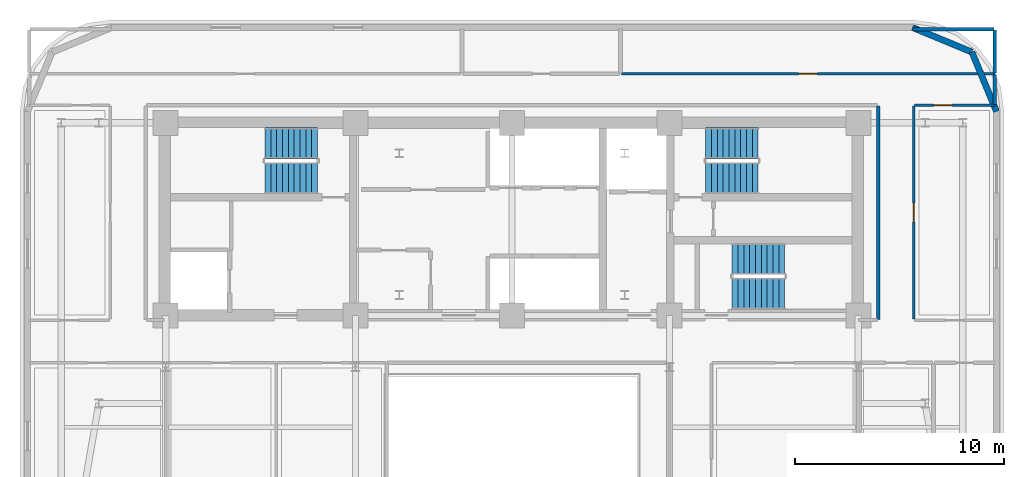
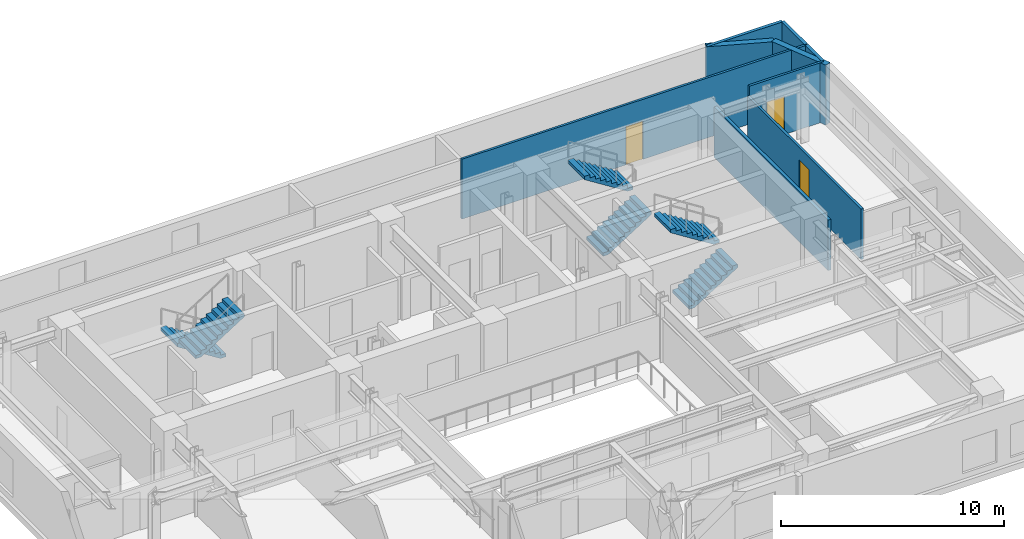
# One storey, part 9 of 12: 9 walls, 6 stair flights, 3 doors, 3 openings, 3 elements without a shape of their own.
"""IFC4 building model written with IfcOpenShell, lengths in metres."""

from ifc_helpers import new_model, si_unit, direction, frame, frame_2d, origin, place, context, subcontext, project, spatial, polyline, rectangle, outline, extrude, material, layer, layer_set, type_object, element, fill, aggregate, save


model = new_model("IFC4")

# Units and contexts
model_context = context("Model", 3, precision=1e-05, world=origin(), true_north=direction((0.0, 1.0)))
body_context = subcontext(model_context, "Body", "Model", "MODEL_VIEW")
ifc_project = project(units=[si_unit("LENGTHUNIT", "METRE"), si_unit("AREAUNIT", "SQUARE_METRE"), si_unit("VOLUMEUNIT", "CUBIC_METRE"), si_unit("PLANEANGLEUNIT", "RADIAN"), si_unit("MASSUNIT", "GRAM", prefix="KILO")], contexts=[model_context])

# Site, building, storey
site_placement = place(None, origin())
site = spatial("IfcSite", under=ifc_project, at=site_placement, CompositionType="ELEMENT")
building_placement = place(site_placement, origin())
building = spatial("IfcBuilding", under=site, at=building_placement, Name="Zarnavel Station Tower", CompositionType="ELEMENT")
storey_placement = place(building_placement, frame((0.0, 0.0, 155.449951171875)))
storey = spatial("IfcBuildingStorey", under=building, at=storey_placement, Name="L42", CompositionType="ELEMENT", Elevation=155.449951171875)

# Walls
ifc_material_1 = material(Name="Precast concrete C45/55 (Dark Basalt Finish)", Category="masonry")
ifc_layer_1 = layer(ifc_material_1, 0.300048828125)
ifc_layer_set_1 = layer_set([ifc_layer_1], Name="EW_BASALT_300")
wall_type_1 = type_object("IfcWallType", Name="EW_BASALT_300", PredefinedType="SOLIDWALL", material=ifc_layer_set_1)
for number, where, z_axis, x_axis, name in (
    (1, (50.842529296875, 40.442626953125, 0.0), (0.0, 0.0, 1.0), (0.382704529509, -0.923870793506, 0.0), "L42 Exterior Basalt Masonry Frame Wall 04"),
    (2, (48.0, 41.6201171875, 0.0), (0.0, 0.0, 1.0), (0.923870793506, -0.382704529509, 0.0), "L42 Exterior Basalt Masonry Frame Wall 05"),
):
    element("IfcWall", number, at=place(storey_placement, frame(where, z_axis=z_axis, x_axis=x_axis)), inside=storey, type_object=wall_type_1, Name=name, PredefinedType="SOLIDWALL", context=body_context, shape_type="SweptSolid", body=[
        extrude(rectangle(XDim=3.07666015625, YDim=0.300048828125, at=frame_2d((1.538330078125, 0.0))), origin(), (0.0, 0.0, 1.0), 3.2900390625),
    ])
ifc_material_2 = material(Name="Gypsum Twin-Stud Acoustic Fire Partition", Category="concrete")
ifc_layer_2 = layer(ifc_material_2, 0.159912109375)
ifc_layer_set_2 = layer_set([ifc_layer_2], Name="PT_DEMISE_160")
wall_type_2 = type_object("IfcWallType", Name="PT_DEMISE_160", PredefinedType="PARTITIONING", material=ifc_layer_set_2)
wall_1_placement = place(storey_placement, frame((46.35009765625, 27.6298828125, 0.0), z_axis=(0.0, 0.0, 1.0), x_axis=(0.0, 1.0, 0.0)))
element("IfcWall", 3, at=wall_1_placement, inside=storey, type_object=wall_type_2, Name="L42 Enclosure Wall COR-E", PredefinedType="PARTITIONING", context=body_context, shape_type="SweptSolid", body=[
    extrude(rectangle(XDim=10.240234375, YDim=0.159912109375, at=frame_2d((5.1201171875, 0.0))), origin(), (0.0, 0.0, 1.0), 2.77001953125),
])
wall_2_placement = place(storey_placement, frame((51.93994140625, 37.929931640625, 0.0), z_axis=(0.0, 0.0, 1.0), x_axis=(0.0, 1.0, 0.0)))
element("IfcWall", 4, at=wall_2_placement, inside=storey, type_object=wall_type_2, Name="L42 Enclosure Wall COR-N", PredefinedType="PARTITIONING", context=body_context, shape_type="SweptSolid", body=[
    extrude(rectangle(XDim=1.440185546875, YDim=0.159912109375, at=frame_2d((0.72021484375, 0.0))), origin(), (0.0, 0.0, 1.0), 3.2900390625),
])
wall_3_placement = place(storey_placement, frame((48.030029296875, 41.5400390625, 0.0), z_axis=(0.0, 0.0, 1.0), x_axis=(1.0, 0.0, 0.0)))
element("IfcWall", 5, at=wall_3_placement, inside=storey, type_object=wall_type_2, Name="L42 Enclosure Wall NSTR", PredefinedType="PARTITIONING", context=body_context, shape_type="SweptSolid", body=[
    extrude(rectangle(XDim=3.8798828125, YDim=0.159912109375, at=frame_2d((1.93994140625, 0.0))), origin(), (0.0, 0.0, 1.0), 3.2900390625),
])
wall_4_placement = place(storey_placement, frame((51.93994140625, 39.429931640625, 0.0), z_axis=(0.0, 0.0, 1.0), x_axis=(0.0, 1.0, 0.0)))
element("IfcWall", 6, at=wall_4_placement, inside=storey, type_object=wall_type_2, Name="L42 Enclosure Wall NSTR", PredefinedType="PARTITIONING", context=body_context, shape_type="SweptSolid", body=[
    extrude(rectangle(XDim=2.080078125, YDim=0.159912109375, at=frame_2d((1.0400390625, 0.0))), origin(), (0.0, 0.0, 1.0), 3.2900390625),
])

# Wall, opening, door
ifc_material_3 = material(Name="Gypsum Metal-Stud Interior Partition", Category="concrete")
ifc_layer_3 = layer(ifc_material_3, 0.1201171875)
ifc_layer_set_3 = layer_set([ifc_layer_3], Name="PT_ROOM_120")
wall_type_3 = type_object("IfcWallType", Name="PT_ROOM_120", PredefinedType="PARTITIONING", material=ifc_layer_set_3)
wall_5_placement = place(storey_placement, frame((48.050048828125, 27.639892578125, 0.0), z_axis=(0.0, 0.0, 1.0), x_axis=(0.0, 1.0, 0.0)))
wall_5 = element("IfcWall", 7, at=wall_5_placement, inside=storey, type_object=wall_type_3, Name="L42 Partition COR-E-FNE", PredefinedType="PARTITIONING", context=body_context, shape_type="SweptSolid", body=[
    extrude(rectangle(XDim=10.22021484375, YDim=0.1201171875, at=frame_2d((5.110107421875, 0.0))), origin(), (0.0, 0.0, 1.0), 2.77001953125),
])
opening_1_placement = place(wall_5_placement, frame((4.659912109375, 0.0, 0.0)))
opening_1 = element("IfcOpeningElement", 8, at=opening_1_placement, cuts=wall_5, Name="Opening ID01", PredefinedType="OPENING", context=body_context, shape_type="SweptSolid", body=[
    extrude(rectangle(XDim=0.89990234375, YDim=2.10009765625, at=frame_2d((0.449951171875, 1.050048828125))), frame((0.0, 0.070068359375, 0.0), z_axis=(0.0, -1.0, 0.0), x_axis=(1.0, 0.0, 0.0)), (0.0, 0.0, 1.0), 0.14013671875),
])
ifc_material_4 = material(Name="Painted Galvanised Steel and Hardwood Leaf", Category="steel")
door_type = type_object("IfcDoorType", Name="ID_ROOM_900", OperationType="NOTDEFINED", PredefinedType="DOOR", material=ifc_material_4)
door_1_placement = place(opening_1_placement, origin())
door_1 = element("IfcDoor", 9, at=door_1_placement, inside=storey, type_object=door_type, Name="L42 Door COR-E-FNE", OperationType="SINGLE_SWING_LEFT", OverallHeight=2.10009765625, OverallWidth=0.89990234375, PredefinedType="DOOR", context=body_context, shape_type="SweptSolid", body=[
    extrude(rectangle(XDim=0.89990234375, YDim=2.10009765625, at=frame_2d((0.449951171875, 1.050048828125))), frame((0.0, 0.02490234375, 0.0), z_axis=(0.0, -1.0, 0.0), x_axis=(1.0, 0.0, 0.0)), (0.0, 0.0, 1.0), 0.050048828125),
])
fill(opening_1, door_1)

wall_6_placement = place(storey_placement, frame((48.090087890625, 37.89990234375, 0.0), z_axis=(0.0, 0.0, 1.0), x_axis=(1.0, 0.0, 0.0)))
wall_6 = element("IfcWall", 10, at=wall_6_placement, inside=storey, type_object=wall_type_3, Name="L42 Partition COR-N-FNE", PredefinedType="PARTITIONING", context=body_context, shape_type="SweptSolid", body=[
    extrude(rectangle(XDim=3.849853515625, YDim=0.1201171875, at=frame_2d((1.9248046875, 0.0))), origin(), (0.0, 0.0, 1.0), 3.2900390625),
])
opening_2_placement = place(wall_6_placement, frame((0.918701171875, 0.0, 0.0)))
opening_2 = element("IfcOpeningElement", 11, at=opening_2_placement, cuts=wall_6, Name="Opening ID01", PredefinedType="OPENING", context=body_context, shape_type="SweptSolid", body=[
    extrude(rectangle(XDim=0.89990234375, YDim=2.10009765625, at=frame_2d((0.449951171875, 1.050048828125))), frame((0.0, 0.070068359375, 0.0), z_axis=(0.0, -1.0, 0.0), x_axis=(1.0, 0.0, 0.0)), (0.0, 0.0, 1.0), 0.14013671875),
])
door_2_placement = place(opening_2_placement, origin())
door_2 = element("IfcDoor", 12, at=door_2_placement, inside=storey, type_object=door_type, Name="L42 Door COR-N-FNE", OperationType="SINGLE_SWING_LEFT", OverallHeight=2.10009765625, OverallWidth=0.89990234375, PredefinedType="DOOR", context=body_context, shape_type="SweptSolid", body=[
    extrude(rectangle(XDim=0.89990234375, YDim=2.10009765625, at=frame_2d((0.449951171875, 1.050048828125))), frame((0.0, 0.02490234375, 0.0), z_axis=(0.0, -1.0, 0.0), x_axis=(1.0, 0.0, 0.0)), (0.0, 0.0, 1.0), 0.050048828125),
])
fill(opening_2, door_2)

wall_7_placement = place(storey_placement, frame((34.0400390625, 39.39990234375, 0.0), z_axis=(0.0, 0.0, 1.0), x_axis=(1.0, 0.0, 0.0)))
wall_7 = element("IfcWall", 13, at=wall_7_placement, inside=storey, type_object=wall_type_3, Name="L42 Partition COR-N-NSTR", PredefinedType="PARTITIONING", context=body_context, shape_type="SweptSolid", body=[
    extrude(rectangle(XDim=17.89990234375, YDim=0.1201171875, at=frame_2d((8.949951171875, 0.0))), origin(), (0.0, 0.0, 1.0), 3.2900390625),
])
opening_3_placement = place(wall_7_placement, frame((8.5, 0.0, 0.0)))
opening_3 = element("IfcOpeningElement", 14, at=opening_3_placement, cuts=wall_7, Name="Opening ID01", PredefinedType="OPENING", context=body_context, shape_type="SweptSolid", body=[
    extrude(rectangle(XDim=0.89990234375, YDim=2.10009765625, at=frame_2d((0.449951171875, 1.050048828125))), frame((0.0, 0.070068359375, 0.0), z_axis=(0.0, -1.0, 0.0), x_axis=(1.0, 0.0, 0.0)), (0.0, 0.0, 1.0), 0.14013671875),
])
door_3_placement = place(opening_3_placement, origin())
door_3 = element("IfcDoor", 15, at=door_3_placement, inside=storey, type_object=door_type, Name="L42 Door COR-N-NSTR", OperationType="SINGLE_SWING_RIGHT", OverallHeight=2.10009765625, OverallWidth=0.89990234375, PredefinedType="DOOR", context=body_context, shape_type="SweptSolid", body=[
    extrude(rectangle(XDim=0.89990234375, YDim=2.10009765625, at=frame_2d((0.449951171875, 1.050048828125))), frame((0.0, 0.02490234375, 0.0), z_axis=(0.0, -1.0, 0.0), x_axis=(1.0, 0.0, 0.0)), (0.0, 0.0, 1.0), 0.050048828125),
])
fill(opening_3, door_3)

# Stair, stair flights
ifc_material_5 = material(Name="Concrete C45/55", Category="concrete")
stair_type = type_object("IfcStairType", Name="ST_CORE_150", PredefinedType="HALF_TURN_STAIR", material=ifc_material_5)
stair_1_placement = place(storey_placement, origin())
stair_1 = element("IfcStair", 16, at=stair_1_placement, inside=storey, type_object=stair_type, Name="L42 Core Exit Stair ST1", PredefinedType="HALF_TURN_STAIR")
ifc_material_6 = material(Name="Concrete C45/55", Category="concrete")
ifc_layer_4 = layer(ifc_material_6, 0.179931640625)
ifc_layer_set_4 = layer_set([ifc_layer_4], Name="ST_CORE_150_FLT")
stair_flight_type = type_object("IfcStairFlightType", Name="ST_CORE_150_FLT", PredefinedType="STRAIGHT", material=ifc_layer_set_4)
stair_flight_1_placement = place(storey_placement, frame((19.47998046875, 36.070068359375, 0.0), z_axis=(0.0, 0.0, 1.0), x_axis=(-1.0, 0.0, 0.0)))
stair_flight_1 = element("IfcStairFlight", 17, at=stair_flight_1_placement, type_object=stair_flight_type, Name="ST1 flight 1", NumberOfRisers=10, NumberOfTreads=9, PredefinedType="STRAIGHT", RiserHeight=0.1775, TreadLength=0.28, context=body_context, shape_type="SweptSolid", body=[
    extrude(outline(polyline([(0.0, 0.0), (0.0, 0.177490234375), (0.280029296875, 0.177490234375), (0.280029296875, 0.35498046875), (0.56005859375, 0.35498046875), (0.56005859375, 0.532470703125), (0.840087890625, 0.532470703125), (0.840087890625, 0.7099609375), (1.1201171875, 0.7099609375), (1.1201171875, 0.887451171875), (1.39990234375, 0.887451171875), (1.39990234375, 1.06494140625), (1.679931640625, 1.06494140625), (1.679931640625, 1.242431640625), (1.9599609375, 1.242431640625), (1.9599609375, 1.419921875), (2.239990234375, 1.419921875), (2.239990234375, 1.597412109375), (2.52001953125, 1.597412109375), (2.52001953125, 1.77490234375), (2.52001953125, 1.419921875), (0.280029296875, 0.0), (0.0, 0.0)])), frame((0.0, 0.75, 0.0), z_axis=(0.0, -1.0, 0.0), x_axis=(1.0, 0.0, 0.0)), (0.0, 0.0, 1.0), 1.5),
])
stair_flight_2_placement = place(storey_placement, frame((16.9599609375, 34.409912109375, 1.775146484375), z_axis=(0.0, 0.0, 1.0), x_axis=(1.0, 0.0, 0.0)))
stair_flight_2 = element("IfcStairFlight", 18, at=stair_flight_2_placement, type_object=stair_flight_type, Name="ST1 flight 2", NumberOfRisers=10, NumberOfTreads=9, PredefinedType="STRAIGHT", RiserHeight=0.1775, TreadLength=0.28, context=body_context, shape_type="SweptSolid", body=[
    extrude(outline(polyline([(0.0, 0.0), (0.0, 0.177490234375), (0.280029296875, 0.177490234375), (0.280029296875, 0.35498046875), (0.56005859375, 0.35498046875), (0.56005859375, 0.532470703125), (0.840087890625, 0.532470703125), (0.840087890625, 0.7099609375), (1.1201171875, 0.7099609375), (1.1201171875, 0.887451171875), (1.39990234375, 0.887451171875), (1.39990234375, 1.06494140625), (1.679931640625, 1.06494140625), (1.679931640625, 1.242431640625), (1.9599609375, 1.242431640625), (1.9599609375, 1.419921875), (2.239990234375, 1.419921875), (2.239990234375, 1.597412109375), (2.52001953125, 1.597412109375), (2.52001953125, 1.77490234375), (2.52001953125, 1.419921875), (0.280029296875, 0.0), (0.0, 0.0)])), frame((0.0, 0.75, 0.0), z_axis=(0.0, -1.0, 0.0), x_axis=(1.0, 0.0, 0.0)), (0.0, 0.0, 1.0), 1.5),
])
aggregate(stair_1, [stair_flight_1, stair_flight_2])

stair_2_placement = place(storey_placement, origin())
stair_2 = element("IfcStair", 19, at=stair_2_placement, inside=storey, type_object=stair_type, Name="L42 Core Exit Stair ST2", PredefinedType="HALF_TURN_STAIR")
stair_flight_3_placement = place(storey_placement, frame((38.080078125, 34.409912109375, 0.0), z_axis=(0.0, 0.0, 1.0), x_axis=(1.0, 0.0, 0.0)))
stair_flight_3 = element("IfcStairFlight", 20, at=stair_flight_3_placement, type_object=stair_flight_type, Name="ST2 flight 1", NumberOfRisers=10, NumberOfTreads=9, PredefinedType="STRAIGHT", RiserHeight=0.1775, TreadLength=0.28, context=body_context, shape_type="SweptSolid", body=[
    extrude(outline(polyline([(0.0, 0.0), (0.0, 0.177490234375), (0.280029296875, 0.177490234375), (0.280029296875, 0.35498046875), (0.56005859375, 0.35498046875), (0.56005859375, 0.532470703125), (0.840087890625, 0.532470703125), (0.840087890625, 0.7099609375), (1.1201171875, 0.7099609375), (1.1201171875, 0.887451171875), (1.39990234375, 0.887451171875), (1.39990234375, 1.06494140625), (1.679931640625, 1.06494140625), (1.679931640625, 1.242431640625), (1.9599609375, 1.242431640625), (1.9599609375, 1.419921875), (2.239990234375, 1.419921875), (2.239990234375, 1.597412109375), (2.52001953125, 1.597412109375), (2.52001953125, 1.77490234375), (2.52001953125, 1.419921875), (0.280029296875, 0.0), (0.0, 0.0)])), frame((0.0, 0.75, 0.0), z_axis=(0.0, -1.0, 0.0), x_axis=(1.0, 0.0, 0.0)), (0.0, 0.0, 1.0), 1.5),
])
stair_flight_4_placement = place(storey_placement, frame((40.60009765625, 36.070068359375, 1.775146484375), z_axis=(0.0, 0.0, 1.0), x_axis=(-1.0, 0.0, 0.0)))
stair_flight_4 = element("IfcStairFlight", 21, at=stair_flight_4_placement, type_object=stair_flight_type, Name="ST2 flight 2", NumberOfRisers=10, NumberOfTreads=9, PredefinedType="STRAIGHT", RiserHeight=0.1775, TreadLength=0.28, context=body_context, shape_type="SweptSolid", body=[
    extrude(outline(polyline([(0.0, 0.0), (0.0, 0.177490234375), (0.280029296875, 0.177490234375), (0.280029296875, 0.35498046875), (0.56005859375, 0.35498046875), (0.56005859375, 0.532470703125), (0.840087890625, 0.532470703125), (0.840087890625, 0.7099609375), (1.1201171875, 0.7099609375), (1.1201171875, 0.887451171875), (1.39990234375, 0.887451171875), (1.39990234375, 1.06494140625), (1.679931640625, 1.06494140625), (1.679931640625, 1.242431640625), (1.9599609375, 1.242431640625), (1.9599609375, 1.419921875), (2.239990234375, 1.419921875), (2.239990234375, 1.597412109375), (2.52001953125, 1.597412109375), (2.52001953125, 1.77490234375), (2.52001953125, 1.419921875), (0.280029296875, 0.0), (0.0, 0.0)])), frame((0.0, 0.75, 0.0), z_axis=(0.0, -1.0, 0.0), x_axis=(1.0, 0.0, 0.0)), (0.0, 0.0, 1.0), 1.5),
])
aggregate(stair_2, [stair_flight_3, stair_flight_4])

stair_3_placement = place(storey_placement, origin())
stair_3 = element("IfcStair", 22, at=stair_3_placement, inside=storey, type_object=stair_type, Name="L42 Core Exit Stair ST3", PredefinedType="HALF_TURN_STAIR")
stair_flight_5_placement = place(storey_placement, frame((39.35009765625, 28.8701171875, 0.0), z_axis=(0.0, 0.0, 1.0), x_axis=(1.0, 0.0, 0.0)))
stair_flight_5 = element("IfcStairFlight", 23, at=stair_flight_5_placement, type_object=stair_flight_type, Name="ST3 flight 1", NumberOfRisers=10, NumberOfTreads=9, PredefinedType="STRAIGHT", RiserHeight=0.1775, TreadLength=0.28, context=body_context, shape_type="SweptSolid", body=[
    extrude(outline(polyline([(0.0, 0.0), (0.0, 0.177490234375), (0.280029296875, 0.177490234375), (0.280029296875, 0.35498046875), (0.56005859375, 0.35498046875), (0.56005859375, 0.532470703125), (0.840087890625, 0.532470703125), (0.840087890625, 0.7099609375), (1.1201171875, 0.7099609375), (1.1201171875, 0.887451171875), (1.39990234375, 0.887451171875), (1.39990234375, 1.06494140625), (1.679931640625, 1.06494140625), (1.679931640625, 1.242431640625), (1.9599609375, 1.242431640625), (1.9599609375, 1.419921875), (2.239990234375, 1.419921875), (2.239990234375, 1.597412109375), (2.52001953125, 1.597412109375), (2.52001953125, 1.77490234375), (2.52001953125, 1.419921875), (0.280029296875, 0.0), (0.0, 0.0)])), frame((0.0, 0.75, 0.0), z_axis=(0.0, -1.0, 0.0), x_axis=(1.0, 0.0, 0.0)), (0.0, 0.0, 1.0), 1.5),
])
stair_flight_6_placement = place(storey_placement, frame((41.8701171875, 30.530029296875, 1.775146484375), z_axis=(0.0, 0.0, 1.0), x_axis=(-1.0, 0.0, 0.0)))
stair_flight_6 = element("IfcStairFlight", 24, at=stair_flight_6_placement, type_object=stair_flight_type, Name="ST3 flight 2", NumberOfRisers=10, NumberOfTreads=9, PredefinedType="STRAIGHT", RiserHeight=0.1775, TreadLength=0.28, context=body_context, shape_type="SweptSolid", body=[
    extrude(outline(polyline([(0.0, 0.0), (0.0, 0.177490234375), (0.280029296875, 0.177490234375), (0.280029296875, 0.35498046875), (0.56005859375, 0.35498046875), (0.56005859375, 0.532470703125), (0.840087890625, 0.532470703125), (0.840087890625, 0.7099609375), (1.1201171875, 0.7099609375), (1.1201171875, 0.887451171875), (1.39990234375, 0.887451171875), (1.39990234375, 1.06494140625), (1.679931640625, 1.06494140625), (1.679931640625, 1.242431640625), (1.9599609375, 1.242431640625), (1.9599609375, 1.419921875), (2.239990234375, 1.419921875), (2.239990234375, 1.597412109375), (2.52001953125, 1.597412109375), (2.52001953125, 1.77490234375), (2.52001953125, 1.419921875), (0.280029296875, 0.0), (0.0, 0.0)])), frame((0.0, 0.75, 0.0), z_axis=(0.0, -1.0, 0.0), x_axis=(1.0, 0.0, 0.0)), (0.0, 0.0, 1.0), 1.5),
])
aggregate(stair_3, [stair_flight_5, stair_flight_6])

save(model, "model.ifc")
